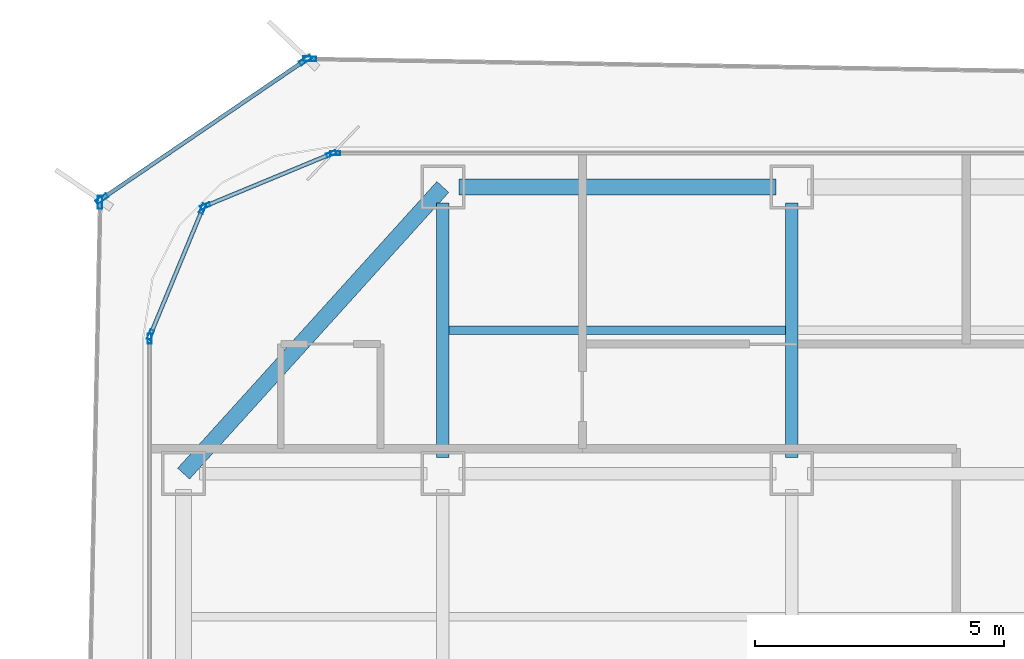
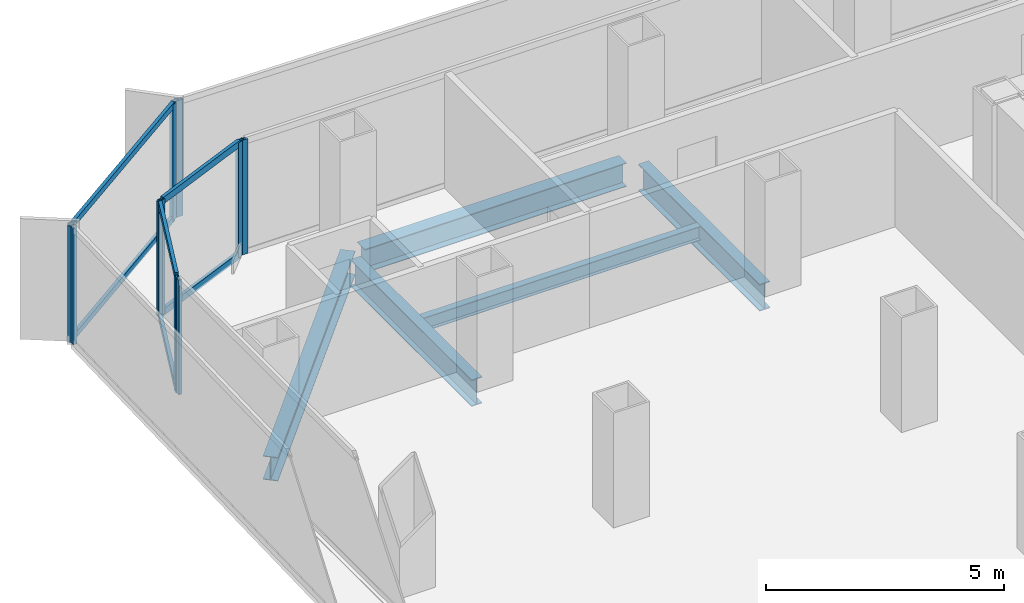
# One storey, part 10 of 21: 16 members, 5 beams, 7 elements without a shape of their own.
"""IFC4 building model written with IfcOpenShell, lengths in metres."""

import ifcopenshell
import ifcopenshell.guid

model = None  # the IFC model being written
_history = None  # IfcOwnerHistory: only IFC2X3 demands one
_inside = {}  # id of a spatial element -> (the spatial element, [elements in it])
_under = {}  # id of a project, library or spatial element -> (it, [spatial elements below it])
_declared = {}  # id of a project -> (the project, [libraries it declares])
_typed = {}  # id of a type object -> (the type object, [elements of that type])
_made_of = {}  # id of a material, layer set ... -> (it, [elements and type objects made of it])


def new_model(schema):
    """Start an empty IFC model of exactly this schema.

    Asked for "IFC4X3", IfcOpenShell would pick the latest addendum, in which some entities
    have other attributes; the version numbers below select the first issue.
    IFC2X3 requires an IfcOwnerHistory on every rooted entity: one is made here for all.
    """
    global model, _history
    if schema == "IFC4X3":
        model = ifcopenshell.file(schema_version=(4, 3, 0, 0))
    else:
        model = ifcopenshell.file(schema=schema)
    _inside.clear()
    _under.clear()
    _declared.clear()
    _typed.clear()
    _made_of.clear()
    _history = None
    if model.schema == "IFC2X3":
        org = make("IfcOrganization", Name="unknown")
        user = make(
            "IfcPersonAndOrganization",
            ThePerson=make("IfcPerson", FamilyName="unknown"),
            TheOrganization=org,
        )
        app = make(
            "IfcApplication",
            ApplicationDeveloper=org,
            Version="unknown",
            ApplicationFullName="unknown",
            ApplicationIdentifier="unknown",
        )
        _history = make(
            "IfcOwnerHistory",
            OwningUser=user,
            OwningApplication=app,
            ChangeAction="ADDED",
            CreationDate=0,
        )
    return model


def make(cls, **values):
    """One entity of the class cls with the attributes given. An attribute that is None is left unset."""
    return model.create_entity(
        cls, **{name: value for name, value in values.items() if value is not None}
    )


def rooted(cls, **values):
    """An entity with a GlobalId (a new one), such as an element, a storey or a relation."""
    return make(cls, GlobalId=ifcopenshell.guid.new(), OwnerHistory=_history, **values)


def si_unit(unit_type, name, prefix=None):
    """IfcSIUnit, for example si_unit("LENGTHUNIT", "METRE", prefix="MILLI")."""
    return make("IfcSIUnit", UnitType=unit_type, Prefix=prefix, Name=name)


def assignment(units):
    """IfcUnitAssignment: the units of a project."""
    return None if units is None else make("IfcUnitAssignment", Units=units)


def point(xyz):
    """IfcCartesianPoint."""
    return None if xyz is None else make("IfcCartesianPoint", Coordinates=xyz)


def direction(xyz):
    """IfcDirection."""
    return None if xyz is None else make("IfcDirection", DirectionRatios=xyz)


def frame(location, z_axis=None, x_axis=None):
    """IfcAxis2Placement3D, a coordinate frame: its origin and axes. An axis left out is left unset."""
    return make(
        "IfcAxis2Placement3D",
        Location=point(location),
        Axis=direction(z_axis),
        RefDirection=direction(x_axis),
    )


def frame_2d(location, x_axis=None):
    """IfcAxis2Placement2D, a coordinate frame in the plane: its origin and x axis."""
    return make(
        "IfcAxis2Placement2D", Location=point(location), RefDirection=direction(x_axis)
    )


def origin():
    """The frame at (0, 0, 0) with its axes left unset."""
    return frame((0.0, 0.0, 0.0))


def origin_2d():
    """The frame at (0, 0) in the plane with its x axis left unset."""
    return frame_2d((0.0, 0.0))


def place(relative_to, where):
    """IfcLocalPlacement: puts the frame where relative to a parent placement (None: the world)."""
    return make(
        "IfcLocalPlacement", PlacementRelTo=relative_to, RelativePlacement=where
    )


def context(
    kind, dimensions, precision=None, world=None, true_north=None, identifier=None
):
    """IfcGeometricRepresentationContext, for example the 3D "Model" context."""
    return make(
        "IfcGeometricRepresentationContext",
        ContextIdentifier=identifier,
        ContextType=kind,
        CoordinateSpaceDimension=dimensions,
        Precision=precision,
        WorldCoordinateSystem=world,
        TrueNorth=true_north,
    )


def subcontext(parent, identifier, kind, view, scale=None):
    """IfcGeometricRepresentationSubContext, for example "Body" below "Model"."""
    return make(
        "IfcGeometricRepresentationSubContext",
        ContextIdentifier=identifier,
        ContextType=kind,
        ParentContext=parent,
        TargetScale=scale,
        TargetView=view,
    )


def project(units=None, contexts=None):
    """IfcProject with its units and contexts."""
    return rooted(
        "IfcProject",
        Name="project",
        RepresentationContexts=contexts,
        UnitsInContext=assignment(units),
    )


def spatial(cls, under=None, at=None, **own):
    """A site, building, storey or space (cls), placed at a placement, below another one or the project."""
    s = rooted(cls, ObjectPlacement=at, **own)
    if under is not None:
        _under.setdefault(under.id(), (under, []))[1].append(s)
    return s


def profile(cls, at=None, kind="AREA", **sizes):
    """A parametric profile (cls). Its sizes go by their IFC names, for example OverallWidth=200.0."""
    return make(cls, ProfileType=kind, Position=at, **sizes)


def hollow_rectangle(**sizes):
    """IfcRectangleHollowProfileDef."""
    return profile("IfcRectangleHollowProfileDef", **sizes)


def i_section(**sizes):
    """IfcIShapeProfileDef."""
    return profile("IfcIShapeProfileDef", **sizes)


def extrude(swept, where, along, depth):
    """IfcExtrudedAreaSolid: the profile swept, set in the frame where, extruded along a direction by depth."""
    return make(
        "IfcExtrudedAreaSolid",
        SweptArea=swept,
        Position=where,
        ExtrudedDirection=direction(along),
        Depth=depth,
    )


def shape(context_of_items, identifier, shape_type, items):
    """IfcShapeRepresentation: the items that make up one representation, for example the "Body"."""
    return make(
        "IfcShapeRepresentation",
        ContextOfItems=context_of_items,
        RepresentationIdentifier=identifier,
        RepresentationType=shape_type,
        Items=items,
    )


def source(mapping_origin, context_of_items, identifier, shape_type, items):
    """IfcRepresentationMap: a shape defined once, which mapped items show again and again."""
    return make(
        "IfcRepresentationMap",
        MappingOrigin=mapping_origin,
        MappedRepresentation=shape(context_of_items, identifier, shape_type, items),
    )


def transform(
    local_origin,
    x_axis=None,
    y_axis=None,
    z_axis=None,
    scale=None,
    scale2=None,
    scale3=None,
    uniform=True,
):
    """IfcCartesianTransformationOperator3D, or its non-uniform kind. x_axis, y_axis, z_axis: its Axis1, 2, 3."""
    if uniform:
        return make(
            "IfcCartesianTransformationOperator3D",
            Axis1=direction(x_axis),
            Axis2=direction(y_axis),
            LocalOrigin=point(local_origin),
            Scale=scale,
            Axis3=direction(z_axis),
        )
    return make(
        "IfcCartesianTransformationOperator3DnonUniform",
        Axis1=direction(x_axis),
        Axis2=direction(y_axis),
        LocalOrigin=point(local_origin),
        Scale=scale,
        Axis3=direction(z_axis),
        Scale2=scale2,
        Scale3=scale3,
    )


def mapped(mapping_source, mapping_target):
    """IfcMappedItem: shows the shape of a source again, moved by a transform."""
    return make(
        "IfcMappedItem", MappingSource=mapping_source, MappingTarget=mapping_target
    )


def material(Name=None, Category=None):
    """IfcMaterial."""
    return make("IfcMaterial", Name=Name, Category=Category)


def layer(
    of_material, thickness, ventilated=None, Name=None, Category=None, Priority=None
):
    """IfcMaterialLayer: one layer of a wall or slab, of a material (None: an air gap)."""
    return make(
        "IfcMaterialLayer",
        Material=of_material,
        LayerThickness=thickness,
        IsVentilated=ventilated,
        Name=Name,
        Category=Category,
        Priority=Priority,
    )


def layer_set(layers, Name=None):
    """IfcMaterialLayerSet."""
    return make("IfcMaterialLayerSet", MaterialLayers=layers, LayerSetName=Name)


def material_profile(
    of_material, cross_section, Name=None, Category=None, Priority=None
):
    """IfcMaterialProfile: a cross section and its material."""
    return make(
        "IfcMaterialProfile",
        Name=Name,
        Material=of_material,
        Profile=cross_section,
        Priority=Priority,
        Category=Category,
    )


def profile_set(profiles, Name=None, composite=None):
    """IfcMaterialProfileSet."""
    return make(
        "IfcMaterialProfileSet",
        Name=Name,
        MaterialProfiles=profiles,
        CompositeProfile=composite,
    )


def made_of(thing, what):
    """Note that an element or type object is made of a material, layer set ...; save() writes the relation."""
    if what is not None:
        _made_of.setdefault(what.id(), (what, []))[1].append(thing)
    return thing


def type_object(cls, material=None, **own):
    """A type object (cls), such as IfcWallType, which elements share."""
    return made_of(rooted(cls, **own), material)


def element(
    cls,
    number,
    at=None,
    inside=None,
    cuts=None,
    type_object=None,
    material=None,
    context=None,
    identifier="Body",
    shape_type=None,
    held_by="IfcProductDefinitionShape",
    body=None,
    shapes=None,
    **own,
):
    """One element of the class cls, such as IfcWall. Its Tag is "e" and its number.

    at: its placement. inside: the storey or other place that contains it. cuts: it is an
    opening in that element (IfcRelVoidsElement). A single representation is given by context,
    identifier, shape_type and body (its items); several are given by shapes. held_by: the class
    of the entity that holds the representations. save() writes the other relations.
    """
    e = rooted(cls, Tag="e%d" % number, ObjectPlacement=at, **own)
    if body is not None:
        shapes = [shape(context, identifier, shape_type, body)]
    if shapes is not None:
        e.Representation = make(held_by, Representations=shapes)
    if inside is not None:
        _inside.setdefault(inside.id(), (inside, []))[1].append(e)
    if cuts is not None:
        rooted(
            "IfcRelVoidsElement", RelatingBuildingElement=cuts, RelatedOpeningElement=e
        )
    if type_object is not None:
        _typed.setdefault(type_object.id(), (type_object, []))[1].append(e)
    return made_of(e, material)


def aggregate(whole, parts):
    """IfcRelAggregates: a whole, such as a stair, and the parts it consists of."""
    return rooted("IfcRelAggregates", RelatingObject=whole, RelatedObjects=parts)


def save(model, path):
    """Write the relations noted so far, then the file.

    IfcRelAggregates (storeys below a building ...), IfcRelContainedInSpatialStructure (elements
    in a storey), IfcRelDefinesByType, IfcRelAssociatesMaterial and IfcRelDeclares: one each for
    every whole, place, type object, material and project.
    """
    for whole, parts in _under.values():
        aggregate(whole, parts)
    for where, things in _inside.values():
        rooted(
            "IfcRelContainedInSpatialStructure",
            RelatedElements=things,
            RelatingStructure=where,
        )
    for kind, things in _typed.values():
        rooted("IfcRelDefinesByType", RelatedObjects=things, RelatingType=kind)
    for what, things in _made_of.values():
        rooted("IfcRelAssociatesMaterial", RelatedObjects=things, RelatingMaterial=what)
    for by, libraries in _declared.values():
        rooted("IfcRelDeclares", RelatingContext=by, RelatedDefinitions=libraries)
    model.write(path)


model = new_model("IFC4")

# Units and contexts
model_context = context("Model", 3, precision=1e-05, world=origin(), true_north=direction((0.0, 1.0)))
body_context = subcontext(model_context, "Body", "Model", "MODEL_VIEW")
ifc_project = project(units=[si_unit("LENGTHUNIT", "METRE"), si_unit("AREAUNIT", "SQUARE_METRE"), si_unit("VOLUMEUNIT", "CUBIC_METRE"), si_unit("PLANEANGLEUNIT", "RADIAN"), si_unit("MASSUNIT", "GRAM", prefix="KILO")], contexts=[model_context])

# Site, building, storey
site_placement = place(None, origin())
site = spatial("IfcSite", under=ifc_project, at=site_placement, CompositionType="ELEMENT")
building_placement = place(site_placement, origin())
building = spatial("IfcBuilding", under=site, at=building_placement, Name="Kolveth Station Tower", CompositionType="ELEMENT")
storey_placement = place(building_placement, frame((0.0, 0.0, 137.5)))
storey = spatial("IfcBuildingStorey", under=building, at=storey_placement, Name="L38", CompositionType="ELEMENT", Elevation=137.5)

# Beams
ifc_material_1 = material(Name="Steel S355", Category="steel")
ifc_material_profile_1 = material_profile(ifc_material_1, i_section(OverallWidth=0.323974609375, OverallDepth=0.611083984375, WebThickness=0.0126953125, FlangeThickness=0.01904296875, at=origin_2d()), Name="W610x155")
ifc_profile_set_1 = profile_set([ifc_material_profile_1], Name="Steel S355")
beam_type_1 = type_object("IfcBeamType", Name="Beam_SP2", PredefinedType="SPANDREL", material=ifc_profile_set_1)
shared_shape_1 = source(origin(), body_context, "Body", "SweptSolid", [
    extrude(i_section(OverallWidth=0.323974609375, OverallDepth=0.611083984375, WebThickness=0.0126953125, FlangeThickness=0.01904296875, at=origin_2d()), origin(), (0.0, 0.0, 1.0), 6.35986328125),
])
beam_1_placement = place(storey_placement, frame((6.320068359375, 34.5, -0.555419921875), z_axis=(1.0, 0.0, 0.0), x_axis=(0.0, 1.0, 0.0)))
element("IfcBeam", 1, at=beam_1_placement, inside=storey, type_object=beam_type_1, Name="L38 Perimeter Spandrel BM-L38-PN-1", PredefinedType="SPANDREL", context=body_context, shape_type="MappedRepresentation", body=[
    mapped(shared_shape_1, transform((0.0, 0.0, 0.0), x_axis=(1.0, 0.0, 0.0), y_axis=(0.0, 1.0, 0.0), z_axis=(0.0, 0.0, 1.0), scale=1.0)),
])
shared_shape_2 = source(origin(), body_context, "Body", "SweptSolid", [
    extrude(i_section(OverallWidth=0.323974609375, OverallDepth=0.611083984375, WebThickness=0.0126953125, FlangeThickness=0.01904296875, at=origin_2d()), origin(), (0.0, 0.0, 1.0), 7.75244140625),
])
beam_2_placement = place(storey_placement, frame((6.0, 34.5, -0.555419921875), z_axis=(-0.670740965555, -0.74169168603, 0.0), x_axis=(0.74169168603, -0.670740965555, 0.0)))
element("IfcBeam", 2, at=beam_2_placement, inside=storey, type_object=beam_type_1, Name="L38 Corner Edge Girder BM-L38-CNR-NW", PredefinedType="SPANDREL", context=body_context, shape_type="MappedRepresentation", body=[
    mapped(shared_shape_2, transform((0.0, 0.0, 0.0), x_axis=(1.0, 0.0, 0.0), y_axis=(0.0, 1.0, 0.0), z_axis=(0.0, 0.0, 1.0), scale=1.0)),
])
ifc_material_profile_2 = material_profile(ifc_material_1, i_section(OverallWidth=0.25390625, OverallDepth=0.68798828125, WebThickness=0.01318359375, FlangeThickness=0.02099609375, at=origin_2d()), Name="W690x152")
ifc_profile_set_2 = profile_set([ifc_material_profile_2], Name="Steel S355")
beam_type_2 = type_object("IfcBeamType", Name="Beam_B4", PredefinedType="BEAM", material=ifc_profile_set_2)
shared_shape_3 = source(origin(), body_context, "Body", "SweptSolid", [
    extrude(i_section(OverallWidth=0.25390625, OverallDepth=0.68798828125, WebThickness=0.01318359375, FlangeThickness=0.02099609375, at=origin_2d()), origin(), (0.0, 0.0, 1.0), 5.10986328125),
])
for number, where, z_axis, x_axis, name in (
    (3, (6.0, 29.070068359375, -0.593994140625), (0.0, 1.0, 0.0), (-1.0, 0.0, 0.0), "L38 Primary Girder BM-L38-GX60-6"),
    (4, (13.0, 29.070068359375, -0.593994140625), (0.0, 1.0, 0.0), (-1.0, 0.0, 0.0), "L38 Primary Girder BM-L38-GX130-6"),
):
    element("IfcBeam", number, at=place(storey_placement, frame(where, z_axis=z_axis, x_axis=x_axis)), inside=storey, type_object=beam_type_2, Name=name, PredefinedType="BEAM", context=body_context, shape_type="MappedRepresentation", body=[
        mapped(shared_shape_3, transform((0.0, 0.0, 0.0), x_axis=(1.0, 0.0, 0.0), y_axis=(0.0, 1.0, 0.0), z_axis=(0.0, 0.0, 1.0), scale=1.0)),
    ])
ifc_material_profile_3 = material_profile(ifc_material_1, i_section(OverallWidth=0.1708984375, OverallDepth=0.35205078125, WebThickness=0.0068359375, FlangeThickness=0.009765625, at=origin_2d()), Name="W360x44")
ifc_profile_set_3 = profile_set([ifc_material_profile_3], Name="Steel S355")
beam_type_3 = type_object("IfcBeamType", Name="Beam_J2", PredefinedType="JOIST", material=ifc_profile_set_3)
shared_shape_4 = source(origin(), body_context, "Body", "SweptSolid", [
    extrude(i_section(OverallWidth=0.1708984375, OverallDepth=0.35205078125, WebThickness=0.0068359375, FlangeThickness=0.009765625, at=origin_2d()), origin(), (0.0, 0.0, 1.0), 6.75),
])
beam_3_placement = place(storey_placement, frame((6.125, 31.625, -0.426025390625), z_axis=(1.0, 0.0, 0.0), x_axis=(0.0, 1.0, 0.0)))
element("IfcBeam", 5, at=beam_3_placement, inside=storey, type_object=beam_type_3, Name="L38 Secondary Joist JST-L38-2-6", PredefinedType="JOIST", context=body_context, shape_type="MappedRepresentation", body=[
    mapped(shared_shape_4, transform((0.0, 0.0, 0.0), x_axis=(1.0, 0.0, 0.0), y_axis=(0.0, 1.0, 0.0), z_axis=(0.0, 0.0, 1.0), scale=1.0)),
])

# Curtain wall, member
ifc_material_2 = material(Name="Aluminium 6063-T6 and low-E dark glass", Category="aluminium")
ifc_layer_1 = layer(ifc_material_2, 0.18994140625)
ifc_layer_set_1 = layer_set([ifc_layer_1], Name="Aluminium 6063-T6 and low-E dark glass")
curtain_wall_type_1 = type_object("IfcCurtainWallType", Name="CurtainWall_CW-Z2", PredefinedType="NOTDEFINED", material=ifc_layer_set_1)
curtain_wall_1_placement = place(storey_placement, origin())
curtain_wall_1 = element("IfcCurtainWall", 6, at=curtain_wall_1_placement, inside=storey, type_object=curtain_wall_type_1, Name="L38 Inner Thermal Curtain Wall 6", PredefinedType="NOTDEFINED")
ifc_material_3 = material(Name="Black anodized aluminium 6063-T6", Category="aluminium")
ifc_material_profile_4 = material_profile(ifc_material_3, hollow_rectangle(XDim=0.080078125, YDim=0.199951171875, WallThickness=0.0048828125, at=origin_2d()), Name="ALU-80x200x5")
ifc_profile_set_4 = profile_set([ifc_material_profile_4], Name="Black anodized aluminium 6063-T6")
member_type_1 = type_object("IfcMemberType", Name="Mullion_ML2", PredefinedType="MULLION", material=ifc_profile_set_4)
shared_shape_5 = source(origin(), body_context, "Body", "SweptSolid", [
    extrude(hollow_rectangle(XDim=0.080078125, YDim=0.199951171875, WallThickness=0.0048828125, at=origin_2d()), origin(), (0.0, 0.0, 1.0), 2.949951171875),
])
member_1_placement = place(storey_placement, frame((3.840087890625, 35.179931640625, 0.0), z_axis=(0.0, 0.0, 1.0), x_axis=(0.0, -1.0, 0.0)))
member_1 = element("IfcMember", 7, at=member_1_placement, type_object=member_type_1, Name="CW-Z2 mullion 3", PredefinedType="MULLION", context=body_context, shape_type="MappedRepresentation", body=[
    mapped(shared_shape_5, transform((0.0, 0.0, 0.0), x_axis=(1.0, 0.0, 0.0), y_axis=(0.0, 1.0, 0.0), z_axis=(0.0, 0.0, 1.0), scale=1.0)),
])
aggregate(curtain_wall_1, [member_1])

# Curtain wall, members
curtain_wall_2_placement = place(storey_placement, origin())
curtain_wall_2 = element("IfcCurtainWall", 8, at=curtain_wall_2_placement, inside=storey, type_object=curtain_wall_type_1, Name="L38 Inner Thermal Curtain Wall 7", PredefinedType="NOTDEFINED")
member_2_placement = place(storey_placement, frame((3.762939453125, 35.164794921875, 0.0), z_axis=(0.0, 0.0, 1.0), x_axis=(0.38266326998, -0.923887883787, 0.0)))
member_2 = element("IfcMember", 9, at=member_2_placement, type_object=member_type_1, Name="CW-Z2 mullion 1", PredefinedType="MULLION", context=body_context, shape_type="MappedRepresentation", body=[
    mapped(shared_shape_5, transform((0.0, 0.0, 0.0), x_axis=(1.0, 0.0, 0.0), y_axis=(0.0, 1.0, 0.0), z_axis=(0.0, 0.0, 1.0), scale=1.0)),
])
member_3_placement = place(storey_placement, frame((1.23486328125, 34.117431640625, 0.0), z_axis=(0.0, 0.0, 1.0), x_axis=(0.38266326998, -0.923887883787, 0.0)))
member_3 = element("IfcMember", 10, at=member_3_placement, type_object=member_type_1, Name="CW-Z2 mullion 2", PredefinedType="MULLION", context=body_context, shape_type="MappedRepresentation", body=[
    mapped(shared_shape_5, transform((0.0, 0.0, 0.0), x_axis=(1.0, 0.0, 0.0), y_axis=(0.0, 1.0, 0.0), z_axis=(0.0, 0.0, 1.0), scale=1.0)),
])

curtain_wall_3_placement = place(storey_placement, origin())
curtain_wall_3 = element("IfcCurtainWall", 11, at=curtain_wall_3_placement, inside=storey, type_object=curtain_wall_type_1, Name="L38 Inner Thermal Curtain Wall 8", PredefinedType="NOTDEFINED")
member_4_placement = place(storey_placement, frame((1.182373046875, 34.065185546875, 0.0), z_axis=(0.0, 0.0, 1.0), x_axis=(0.923887883787, -0.38266326998, 0.0)))
member_4 = element("IfcMember", 12, at=member_4_placement, type_object=member_type_1, Name="CW-Z2 mullion 1", PredefinedType="MULLION", context=body_context, shape_type="MappedRepresentation", body=[
    mapped(shared_shape_5, transform((0.0, 0.0, 0.0), x_axis=(1.0, 0.0, 0.0), y_axis=(0.0, 1.0, 0.0), z_axis=(0.0, 0.0, 1.0), scale=1.0)),
])
member_5_placement = place(storey_placement, frame((0.13525390625, 31.536865234375, 0.0), z_axis=(0.0, 0.0, 1.0), x_axis=(0.923887883787, -0.38266326998, 0.0)))
member_5 = element("IfcMember", 13, at=member_5_placement, type_object=member_type_1, Name="CW-Z2 mullion 2", PredefinedType="MULLION", context=body_context, shape_type="MappedRepresentation", body=[
    mapped(shared_shape_5, transform((0.0, 0.0, 0.0), x_axis=(1.0, 0.0, 0.0), y_axis=(0.0, 1.0, 0.0), z_axis=(0.0, 0.0, 1.0), scale=1.0)),
])

# Curtain wall, member
curtain_wall_4_placement = place(storey_placement, origin())
curtain_wall_4 = element("IfcCurtainWall", 14, at=curtain_wall_4_placement, inside=storey, type_object=curtain_wall_type_1, Name="L38 Inner Thermal Curtain Wall 9", PredefinedType="NOTDEFINED")
member_6_placement = place(storey_placement, frame((0.1201171875, 31.4599609375, 0.0), z_axis=(0.0, 0.0, 1.0), x_axis=(1.0, 0.0, 0.0)))
member_6 = element("IfcMember", 15, at=member_6_placement, type_object=member_type_1, Name="CW-Z2 mullion 1", PredefinedType="MULLION", context=body_context, shape_type="MappedRepresentation", body=[
    mapped(shared_shape_5, transform((0.0, 0.0, 0.0), x_axis=(1.0, 0.0, 0.0), y_axis=(0.0, 1.0, 0.0), z_axis=(0.0, 0.0, 1.0), scale=1.0)),
])
aggregate(curtain_wall_4, [member_6])

# Member
ifc_material_profile_5 = material_profile(ifc_material_3, hollow_rectangle(XDim=0.080078125, YDim=0.169921875, WallThickness=0.0048828125, at=origin_2d()), Name="ALU-80x170x5")
ifc_profile_set_5 = profile_set([ifc_material_profile_5], Name="Black anodized aluminium 6063-T6")
member_type_2 = type_object("IfcMemberType", Name="Transom_TR2", PredefinedType="USERDEFINED", material=ifc_profile_set_5)
shared_shape_6 = source(origin(), body_context, "Body", "SweptSolid", [
    extrude(hollow_rectangle(XDim=0.080078125, YDim=0.169921875, WallThickness=0.0048828125, at=origin_2d()), origin(), (0.0, 0.0, 1.0), 2.656494140625),
])
member_7_placement = place(storey_placement, frame((3.72607421875, 35.1494140625, 0.0400390625), z_axis=(-0.923882422403, -0.382676455475, 0.0), x_axis=(0.382676455475, -0.923882422403, 0.0)))
member_7 = element("IfcMember", 16, at=member_7_placement, type_object=member_type_2, Name="CW-Z2 transom 1.1", ObjectType="TRANSOM", PredefinedType="USERDEFINED", context=body_context, shape_type="MappedRepresentation", body=[
    mapped(shared_shape_6, transform((0.0, 0.0, 0.0), x_axis=(1.0, 0.0, 0.0), y_axis=(0.0, 1.0, 0.0), z_axis=(0.0, 0.0, 1.0), scale=1.0)),
])

member_8_placement = place(storey_placement, frame((3.72607421875, 35.1494140625, 2.909912109375), z_axis=(-0.923882422403, -0.382676455475, 0.0), x_axis=(0.382676455475, -0.923882422403, 0.0)))
member_8 = element("IfcMember", 17, at=member_8_placement, type_object=member_type_2, Name="CW-Z2 transom 1.2", ObjectType="TRANSOM", PredefinedType="USERDEFINED", context=body_context, shape_type="MappedRepresentation", body=[
    mapped(shared_shape_6, transform((0.0, 0.0, 0.0), x_axis=(1.0, 0.0, 0.0), y_axis=(0.0, 1.0, 0.0), z_axis=(0.0, 0.0, 1.0), scale=1.0)),
])

aggregate(curtain_wall_2, [member_2, member_3, member_7, member_8])

member_9_placement = place(storey_placement, frame((1.167236328125, 34.0283203125, 0.0400390625), z_axis=(-0.382676455475, -0.923882422403, 0.0), x_axis=(0.923882422403, -0.382676455475, 0.0)))
member_9 = element("IfcMember", 18, at=member_9_placement, type_object=member_type_2, Name="CW-Z2 transom 1.1", ObjectType="TRANSOM", PredefinedType="USERDEFINED", context=body_context, shape_type="MappedRepresentation", body=[
    mapped(shared_shape_6, transform((0.0, 0.0, 0.0), x_axis=(1.0, 0.0, 0.0), y_axis=(0.0, 1.0, 0.0), z_axis=(0.0, 0.0, 1.0), scale=1.0)),
])

member_10_placement = place(storey_placement, frame((1.167236328125, 34.0283203125, 2.909912109375), z_axis=(-0.382676455475, -0.923882422403, 0.0), x_axis=(0.923882422403, -0.382676455475, 0.0)))
member_10 = element("IfcMember", 19, at=member_10_placement, type_object=member_type_2, Name="CW-Z2 transom 1.2", ObjectType="TRANSOM", PredefinedType="USERDEFINED", context=body_context, shape_type="MappedRepresentation", body=[
    mapped(shared_shape_6, transform((0.0, 0.0, 0.0), x_axis=(1.0, 0.0, 0.0), y_axis=(0.0, 1.0, 0.0), z_axis=(0.0, 0.0, 1.0), scale=1.0)),
])

aggregate(curtain_wall_3, [member_4, member_5, member_9, member_10])

# Curtain wall, member
ifc_material_4 = material(Name="Black anodized aluminium 6063-T6 and dark solar glass", Category="aluminium")
ifc_layer_2 = layer(ifc_material_4, 0.159912109375)
ifc_layer_set_2 = layer_set([ifc_layer_2], Name="Black anodized aluminium 6063-T6 and dark solar glass")
curtain_wall_type_2 = type_object("IfcCurtainWallType", Name="OUTER SKIN CW-OS", PredefinedType="NOTDEFINED", material=ifc_layer_set_2)
curtain_wall_5_placement = place(storey_placement, origin())
curtain_wall_5 = element("IfcCurtainWall", 20, at=curtain_wall_5_placement, inside=storey, type_object=curtain_wall_type_2, Name="L38 Outer Ventilated Skin Curtain Wall 4", PredefinedType="NOTDEFINED")
ifc_material_profile_6 = material_profile(ifc_material_3, hollow_rectangle(XDim=0.090087890625, YDim=0.260009765625, WallThickness=0.0048828125, at=origin_2d()), Name="ALU-90x260x5")
ifc_profile_set_6 = profile_set([ifc_material_profile_6], Name="Black anodized aluminium 6063-T6")
member_type_3 = type_object("IfcMemberType", Name="FIN MULLION ML-OS", PredefinedType="MULLION", material=ifc_profile_set_6)
shared_shape_7 = source(origin(), body_context, "Body", "SweptSolid", [
    extrude(hollow_rectangle(XDim=0.090087890625, YDim=0.260009765625, WallThickness=0.0048828125, at=origin_2d()), origin(), (0.0, 0.0, 1.0), 2.989990234375),
])
member_11_placement = place(storey_placement, frame((3.328125, 37.0712890625, 0.0), z_axis=(0.0, 0.0, 1.0), x_axis=(-0.016837283985, -0.999858242886, 0.0)))
member_11 = element("IfcMember", 21, at=member_11_placement, type_object=member_type_3, Name="CW-OS mullion 2", PredefinedType="MULLION", context=body_context, shape_type="MappedRepresentation", body=[
    mapped(shared_shape_7, transform((0.0, 0.0, 0.0), x_axis=(1.0, 0.0, 0.0), y_axis=(0.0, 1.0, 0.0), z_axis=(0.0, 0.0, 1.0), scale=1.0)),
])
aggregate(curtain_wall_5, [member_11])

# Curtain wall, members
curtain_wall_6_placement = place(storey_placement, origin())
curtain_wall_6 = element("IfcCurtainWall", 22, at=curtain_wall_6_placement, inside=storey, type_object=curtain_wall_type_2, Name="L38 Outer Ventilated Skin Curtain Wall 5", PredefinedType="NOTDEFINED")
member_12_placement = place(storey_placement, frame((3.24609375, 37.046875, 0.0), z_axis=(0.0, 0.0, 1.0), x_axis=(0.563058126848, -0.826417295191, 0.0)))
member_12 = element("IfcMember", 23, at=member_12_placement, type_object=member_type_3, Name="CW-OS mullion 1", PredefinedType="MULLION", context=body_context, shape_type="MappedRepresentation", body=[
    mapped(shared_shape_7, transform((0.0, 0.0, 0.0), x_axis=(1.0, 0.0, 0.0), y_axis=(0.0, 1.0, 0.0), z_axis=(0.0, 0.0, 1.0), scale=1.0)),
])
member_13_placement = place(storey_placement, frame((-0.839111328125, 34.263427734375, 0.0), z_axis=(0.0, 0.0, 1.0), x_axis=(0.563058126848, -0.826417295191, 0.0)))
member_13 = element("IfcMember", 24, at=member_13_placement, type_object=member_type_3, Name="CW-OS mullion 2", PredefinedType="MULLION", context=body_context, shape_type="MappedRepresentation", body=[
    mapped(shared_shape_7, transform((0.0, 0.0, 0.0), x_axis=(1.0, 0.0, 0.0), y_axis=(0.0, 1.0, 0.0), z_axis=(0.0, 0.0, 1.0), scale=1.0)),
])

# Curtain wall, member
curtain_wall_7_placement = place(storey_placement, origin())
curtain_wall_7 = element("IfcCurtainWall", 25, at=curtain_wall_7_placement, inside=storey, type_object=curtain_wall_type_2, Name="L38 Outer Ventilated Skin Curtain Wall 6", PredefinedType="NOTDEFINED")
member_14_placement = place(storey_placement, frame((-0.877197265625, 34.193115234375, 0.0), z_axis=(0.0, 0.0, 1.0), x_axis=(0.999778349091, -0.021053567138, 0.0)))
member_14 = element("IfcMember", 26, at=member_14_placement, type_object=member_type_3, Name="CW-OS mullion 1", PredefinedType="MULLION", context=body_context, shape_type="MappedRepresentation", body=[
    mapped(shared_shape_7, transform((0.0, 0.0, 0.0), x_axis=(1.0, 0.0, 0.0), y_axis=(0.0, 1.0, 0.0), z_axis=(0.0, 0.0, 1.0), scale=1.0)),
])
aggregate(curtain_wall_7, [member_14])

# Member
ifc_material_profile_7 = material_profile(ifc_material_3, hollow_rectangle(XDim=0.080078125, YDim=0.14990234375, WallThickness=0.0048828125, at=origin_2d()), Name="ALU-80x150x5")
ifc_profile_set_7 = profile_set([ifc_material_profile_7], Name="Black anodized aluminium 6063-T6")
member_type_4 = type_object("IfcMemberType", Name="Transom_TR-OS", PredefinedType="USERDEFINED", material=ifc_profile_set_7)
shared_shape_8 = source(origin(), body_context, "Body", "SweptSolid", [
    extrude(hollow_rectangle(XDim=0.080078125, YDim=0.14990234375, WallThickness=0.0048828125, at=origin_2d()), origin(), (0.0, 0.0, 1.0), 4.85302734375),
])
member_15_placement = place(storey_placement, frame((3.208740234375, 37.021484375, 0.0400390625), z_axis=(-0.826396533588, -0.563088598067, 0.0), x_axis=(0.563088598067, -0.826396533588, 0.0)))
member_15 = element("IfcMember", 27, at=member_15_placement, type_object=member_type_4, Name="CW-OS transom 1.1", ObjectType="TRANSOM", PredefinedType="USERDEFINED", context=body_context, shape_type="MappedRepresentation", body=[
    mapped(shared_shape_8, transform((0.0, 0.0, 0.0), x_axis=(1.0, 0.0, 0.0), y_axis=(0.0, 1.0, 0.0), z_axis=(0.0, 0.0, 1.0), scale=1.0)),
])

member_16_placement = place(storey_placement, frame((3.208740234375, 37.021484375, 2.949951171875), z_axis=(-0.826396533588, -0.563088598067, 0.0), x_axis=(0.563088598067, -0.826396533588, 0.0)))
member_16 = element("IfcMember", 28, at=member_16_placement, type_object=member_type_4, Name="CW-OS transom 1.2", ObjectType="TRANSOM", PredefinedType="USERDEFINED", context=body_context, shape_type="MappedRepresentation", body=[
    mapped(shared_shape_8, transform((0.0, 0.0, 0.0), x_axis=(1.0, 0.0, 0.0), y_axis=(0.0, 1.0, 0.0), z_axis=(0.0, 0.0, 1.0), scale=1.0)),
])

aggregate(curtain_wall_6, [member_12, member_13, member_15, member_16])

save(model, "model.ifc")
